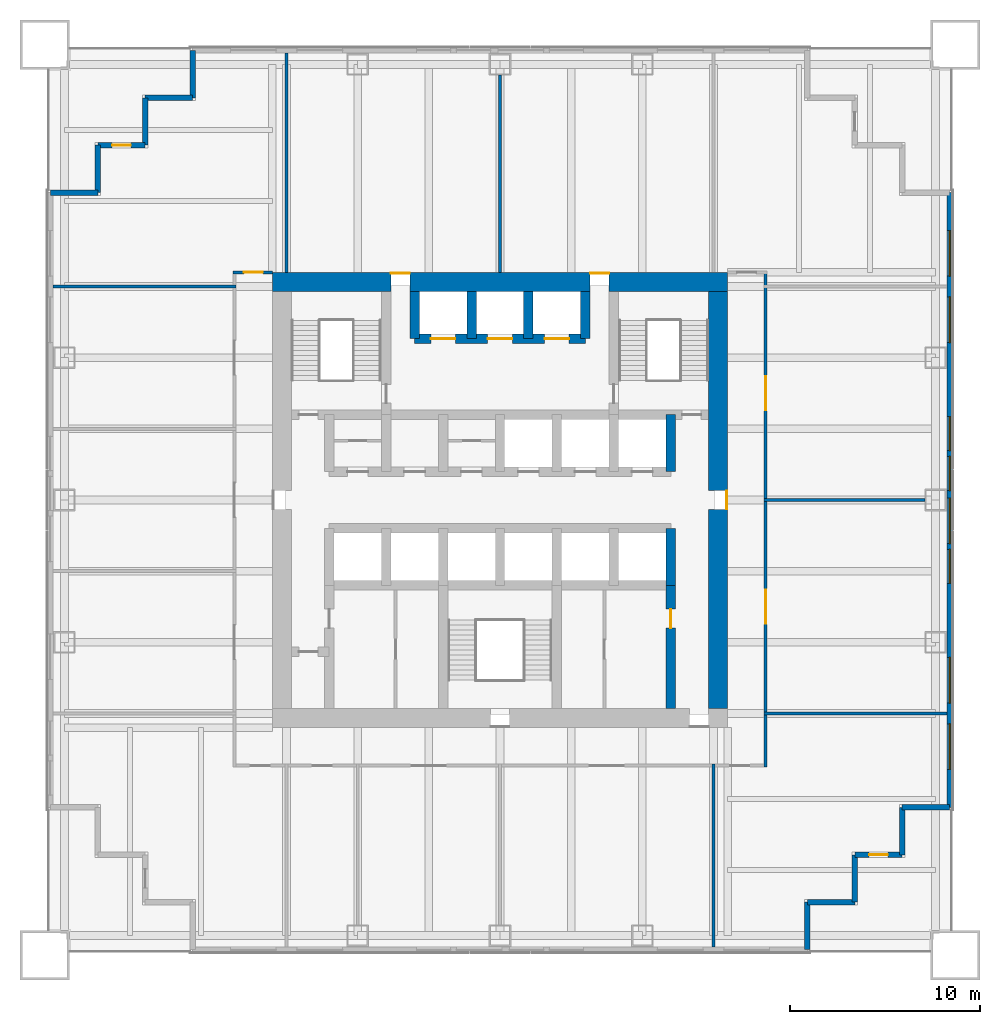
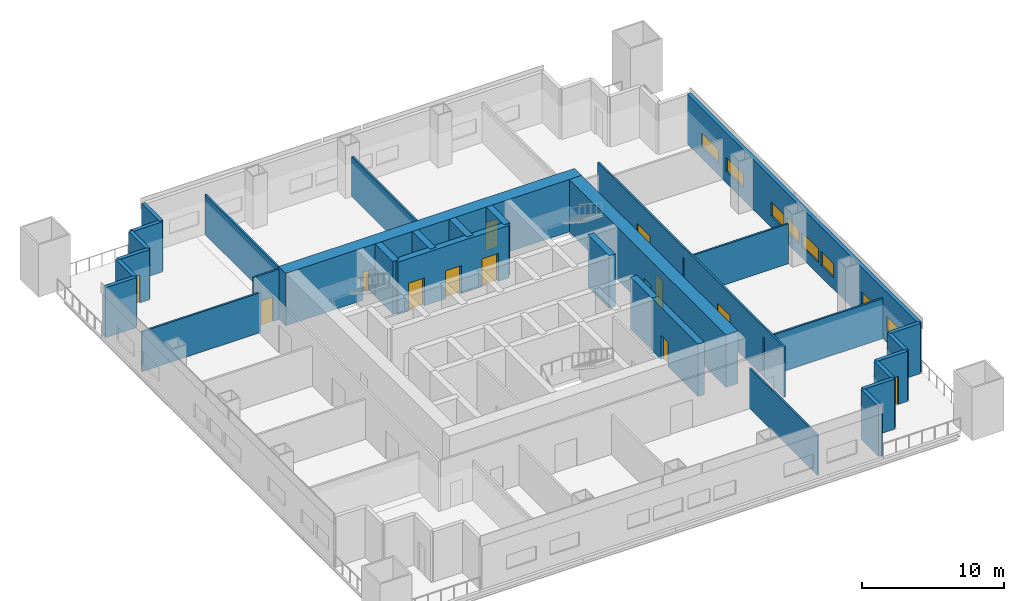
# One storey, part 4 of 7: 31 walls, 12 doors, 8 windows, 20 openings.
"""IFC4 building model written with IfcOpenShell, lengths in metres."""

from ifc_helpers import new_model, si_unit, direction, frame, frame_2d, origin, place, context, subcontext, project, spatial, rectangle, extrude, material, layer, layer_set, type_object, element, fill, save


model = new_model("IFC4")

# Units and contexts
model_context = context("Model", 3, precision=1e-05, world=origin(), true_north=direction((0.0, 1.0)))
body_context = subcontext(model_context, "Body", "Model", "MODEL_VIEW")
ifc_project = project(units=[si_unit("LENGTHUNIT", "METRE"), si_unit("AREAUNIT", "SQUARE_METRE"), si_unit("VOLUMEUNIT", "CUBIC_METRE"), si_unit("PLANEANGLEUNIT", "RADIAN"), si_unit("MASSUNIT", "GRAM", prefix="KILO")], contexts=[model_context])

# Site, building, storey
site_placement = place(None, origin())
site = spatial("IfcSite", under=ifc_project, at=site_placement, CompositionType="ELEMENT")
building_placement = place(site_placement, origin())
building = spatial("IfcBuilding", under=site, at=building_placement, Name="Tarangal Relay Tower", CompositionType="ELEMENT")
storey_placement = place(building_placement, frame((0.0, 0.0, 149.39990234375)))
storey = spatial("IfcBuildingStorey", under=building, at=storey_placement, Name="L30", CompositionType="ELEMENT", Elevation=149.39990234375)

# Wall, openings, doors
ifc_material_1 = material(Name="Concrete fc' 60 MPa", Category="concrete")
ifc_layer_1 = layer(ifc_material_1, 0.5)
ifc_layer_set_1 = layer_set([ifc_layer_1], Name="Core inner wall 500")
wall_type_1 = type_object("IfcWallType", Name="Core inner wall 500", PredefinedType="SHEAR", material=ifc_layer_set_1)
wall_1_placement = place(storey_placement, frame((-4.5, 8.5, 0.0), z_axis=(0.0, 0.0, 1.0), x_axis=(1.0, 0.0, 0.0)))
wall_1 = element("IfcWall", 1, at=wall_1_placement, inside=storey, type_object=wall_type_1, Name="Core wall Y85 L30", PredefinedType="SHEAR", context=body_context, shape_type="SweptSolid", body=[
    extrude(rectangle(XDim=9.0, YDim=0.5, at=frame_2d((4.5, 0.0))), origin(), (0.0, 0.0, 1.0), 4.5),
])
opening_1_placement = place(wall_1_placement, frame((0.85009765625, 0.0, 0.0)))
opening_1 = element("IfcOpeningElement", 2, at=opening_1_placement, cuts=wall_1, Name="Opening LD2", PredefinedType="OPENING", context=body_context, shape_type="SweptSolid", body=[
    extrude(rectangle(XDim=1.300048828125, YDim=2.39990234375, at=frame_2d((0.64990234375, 1.199951171875))), frame((0.0, 0.260009765625, 0.0), z_axis=(0.0, -1.0, 0.0), x_axis=(1.0, 0.0, 0.0)), (0.0, 0.0, 1.0), 0.52001953125),
])
opening_2_placement = place(wall_1_placement, frame((6.85009765625, 0.0, 0.0)))
opening_2 = element("IfcOpeningElement", 3, at=opening_2_placement, cuts=wall_1, Name="Opening LD2", PredefinedType="OPENING", context=body_context, shape_type="SweptSolid", body=[
    extrude(rectangle(XDim=1.300048828125, YDim=2.39990234375, at=frame_2d((0.64990234375, 1.199951171875))), frame((0.0, 0.260009765625, 0.0), z_axis=(0.0, -1.0, 0.0), x_axis=(1.0, 0.0, 0.0)), (0.0, 0.0, 1.0), 0.52001953125),
])
opening_3_placement = place(wall_1_placement, frame((3.85009765625, 0.0, 0.0)))
opening_3 = element("IfcOpeningElement", 4, at=opening_3_placement, cuts=wall_1, Name="Opening LD2", PredefinedType="OPENING", context=body_context, shape_type="SweptSolid", body=[
    extrude(rectangle(XDim=1.300048828125, YDim=2.39990234375, at=frame_2d((0.64990234375, 1.199951171875))), frame((0.0, 0.260009765625, 0.0), z_axis=(0.0, -1.0, 0.0), x_axis=(1.0, 0.0, 0.0)), (0.0, 0.0, 1.0), 0.52001953125),
])
ifc_material_2 = material(Name="Steel door with hardwood frame", Category="steel")
door_type_1 = type_object("IfcDoorType", Name="Lift landing door 1300 x 2400", OperationType="SLIDING_TO_LEFT", PredefinedType="DOOR", material=ifc_material_2)
door_1_placement = place(opening_1_placement, origin())
door_1 = element("IfcDoor", 5, at=door_1_placement, inside=storey, type_object=door_type_1, Name="Lift FF1 landing door L30", OperationType="SLIDING_TO_LEFT", OverallHeight=2.39990234375, OverallWidth=1.300048828125, PredefinedType="DOOR", context=body_context, shape_type="SweptSolid", body=[
    extrude(rectangle(XDim=1.300048828125, YDim=2.39990234375, at=frame_2d((0.64990234375, 1.199951171875))), frame((0.0, 0.02490234375, 0.0), z_axis=(0.0, -1.0, 0.0), x_axis=(1.0, 0.0, 0.0)), (0.0, 0.0, 1.0), 0.050048828125),
])
fill(opening_1, door_1)
door_2_placement = place(opening_2_placement, origin())
door_2 = element("IfcDoor", 6, at=door_2_placement, inside=storey, type_object=door_type_1, Name="Lift FF2 landing door L30", OperationType="SLIDING_TO_LEFT", OverallHeight=2.39990234375, OverallWidth=1.300048828125, PredefinedType="DOOR", context=body_context, shape_type="SweptSolid", body=[
    extrude(rectangle(XDim=1.300048828125, YDim=2.39990234375, at=frame_2d((0.64990234375, 1.199951171875))), frame((0.0, 0.02490234375, 0.0), z_axis=(0.0, -1.0, 0.0), x_axis=(1.0, 0.0, 0.0)), (0.0, 0.0, 1.0), 0.050048828125),
])
fill(opening_2, door_2)
door_3_placement = place(opening_3_placement, origin())
door_3 = element("IfcDoor", 7, at=door_3_placement, inside=storey, type_object=door_type_1, Name="Lift SV1 landing door L30", OperationType="SLIDING_TO_LEFT", OverallHeight=2.39990234375, OverallWidth=1.300048828125, PredefinedType="DOOR", context=body_context, shape_type="SweptSolid", body=[
    extrude(rectangle(XDim=1.300048828125, YDim=2.39990234375, at=frame_2d((0.64990234375, 1.199951171875))), frame((0.0, 0.02490234375, 0.0), z_axis=(0.0, -1.0, 0.0), x_axis=(1.0, 0.0, 0.0)), (0.0, 0.0, 1.0), 0.050048828125),
])
fill(opening_3, door_3)

# Walls
for number, where, z_axis, x_axis, name in (
    (8, (9.0, 1.5, 0.0), (0.0, 0.0, 1.0), (0.0, 1.0, 0.0), "Core wall X9N L30"),
    (9, (9.0, -4.5, 0.0), (0.0, 0.0, 1.0), (0.0, 1.0, 0.0), "Core wall X9S L30"),
):
    element("IfcWall", number, at=place(storey_placement, frame(where, z_axis=z_axis, x_axis=x_axis)), inside=storey, type_object=wall_type_1, Name=name, PredefinedType="SHEAR", context=body_context, shape_type="SweptSolid", body=[
        extrude(rectangle(XDim=3.0, YDim=0.5, at=frame_2d((1.5, 0.0))), origin(), (0.0, 0.0, 1.0), 4.5),
    ])
for number, where, z_axis, x_axis, name in (
    (10, (-4.5, 8.5, 0.0), (0.0, 0.0, 1.0), (0.0, 1.0, 0.0), "Core wall XM45 L30"),
    (11, (4.5, 8.5, 0.0), (0.0, 0.0, 1.0), (0.0, 1.0, 0.0), "Core wall X45 L30"),
    (12, (-1.5, 8.5, 0.0), (0.0, 0.0, 1.0), (0.0, 1.0, 0.0), "Core wall XM15 L30"),
    (13, (1.5, 8.5, 0.0), (0.0, 0.0, 1.0), (0.0, 1.0, 0.0), "Core wall X15 L30"),
):
    element("IfcWall", number, at=place(storey_placement, frame(where, z_axis=z_axis, x_axis=x_axis)), inside=storey, type_object=wall_type_1, Name=name, PredefinedType="SHEAR", context=body_context, shape_type="SweptSolid", body=[
        extrude(rectangle(XDim=2.5, YDim=0.5, at=frame_2d((1.25, 0.0))), origin(), (0.0, 0.0, 1.0), 4.5),
    ])

# Wall, opening, door
wall_2_placement = place(storey_placement, frame((9.0, -11.0, 0.0), z_axis=(0.0, 0.0, 1.0), x_axis=(0.0, 1.0, 0.0)))
wall_2 = element("IfcWall", 14, at=wall_2_placement, inside=storey, type_object=wall_type_1, Name="Core wall X9W L30", PredefinedType="SHEAR", context=body_context, shape_type="SweptSolid", body=[
    extrude(rectangle(XDim=6.5, YDim=0.5, at=frame_2d((3.25, 0.0))), origin(), (0.0, 0.0, 1.0), 4.5),
])
opening_4_placement = place(wall_2_placement, frame((4.25, 0.0, 0.0)))
opening_4 = element("IfcOpeningElement", 15, at=opening_4_placement, cuts=wall_2, Name="Opening D1", PredefinedType="OPENING", context=body_context, shape_type="SweptSolid", body=[
    extrude(rectangle(XDim=1.0, YDim=2.10009765625, at=frame_2d((0.5, 1.050048828125))), frame((0.0, 0.260009765625, 0.0), z_axis=(0.0, -1.0, 0.0), x_axis=(1.0, 0.0, 0.0)), (0.0, 0.0, 1.0), 0.52001953125),
])
ifc_material_3 = material(Name="Hardwood door", Category="wood")
door_type_2 = type_object("IfcDoorType", Name="WC door 1000 x 2100", OperationType="SINGLE_SWING_LEFT", PredefinedType="DOOR", material=ifc_material_3)
door_4_placement = place(opening_4_placement, origin())
door_4 = element("IfcDoor", 16, at=door_4_placement, inside=storey, type_object=door_type_2, Name="Female WC door L30", OperationType="SINGLE_SWING_LEFT", OverallHeight=2.10009765625, OverallWidth=1.0, PredefinedType="DOOR", context=body_context, shape_type="SweptSolid", body=[
    extrude(rectangle(XDim=1.0, YDim=2.10009765625, at=frame_2d((0.5, 1.050048828125))), frame((0.0, 0.02490234375, 0.0), z_axis=(0.0, -1.0, 0.0), x_axis=(1.0, 0.0, 0.0)), (0.0, 0.0, 1.0), 0.050048828125),
])
fill(opening_4, door_4)

# Wall, openings, doors
ifc_layer_2 = layer(ifc_material_1, 1.0)
ifc_layer_set_2 = layer_set([ifc_layer_2], Name="Core wall 1000")
wall_type_2 = type_object("IfcWallType", Name="Core wall 1000", PredefinedType="SHEAR", material=ifc_layer_set_2)
wall_3_placement = place(storey_placement, frame((-12.0, 11.5, 0.0), z_axis=(0.0, 0.0, 1.0), x_axis=(1.0, 0.0, 0.0)))
wall_3 = element("IfcWall", 17, at=wall_3_placement, inside=storey, type_object=wall_type_2, Name="Core wall N L30", PredefinedType="SHEAR", context=body_context, shape_type="SweptSolid", body=[
    extrude(rectangle(XDim=24.0, YDim=1.0, at=frame_2d((12.0, 0.0))), origin(), (0.0, 0.0, 1.0), 4.5),
])
opening_5_placement = place(wall_3_placement, frame((6.25, 0.0, 0.0)))
opening_5 = element("IfcOpeningElement", 18, at=opening_5_placement, cuts=wall_3, Name="Opening FD3", PredefinedType="OPENING", context=body_context, shape_type="SweptSolid", body=[
    extrude(rectangle(XDim=1.0, YDim=2.39990234375, at=frame_2d((0.5, 1.199951171875))), frame((0.0, 0.510009765625, 0.0), z_axis=(0.0, -1.0, 0.0), x_axis=(1.0, 0.0, 0.0)), (0.0, 0.0, 1.0), 1.02001953125),
])
opening_6_placement = place(wall_3_placement, frame((16.75, 0.0, 0.0)))
opening_6 = element("IfcOpeningElement", 19, at=opening_6_placement, cuts=wall_3, Name="Opening FD3", PredefinedType="OPENING", context=body_context, shape_type="SweptSolid", body=[
    extrude(rectangle(XDim=1.0, YDim=2.39990234375, at=frame_2d((0.5, 1.199951171875))), frame((0.0, 0.510009765625, 0.0), z_axis=(0.0, -1.0, 0.0), x_axis=(1.0, 0.0, 0.0)), (0.0, 0.0, 1.0), 1.02001953125),
])
door_type_3 = type_object("IfcDoorType", Name="Fire door 1000 x 2400 core entry", OperationType="SINGLE_SWING_RIGHT", PredefinedType="DOOR", material=ifc_material_2)
door_5_placement = place(opening_5_placement, origin())
door_5 = element("IfcDoor", 20, at=door_5_placement, inside=storey, type_object=door_type_3, Name="Core entry door north west L30", OperationType="SINGLE_SWING_RIGHT", OverallHeight=2.39990234375, OverallWidth=1.0, PredefinedType="DOOR", context=body_context, shape_type="SweptSolid", body=[
    extrude(rectangle(XDim=1.0, YDim=2.39990234375, at=frame_2d((0.5, 1.199951171875))), frame((0.0, 0.48486328125, 0.0), z_axis=(0.0, -1.0, 0.0), x_axis=(1.0, 0.0, 0.0)), (0.0, 0.0, 1.0), 0.050048828125),
])
fill(opening_5, door_5)
door_6_placement = place(opening_6_placement, origin())
door_6 = element("IfcDoor", 21, at=door_6_placement, inside=storey, type_object=door_type_3, Name="Core entry door north east L30", OperationType="SINGLE_SWING_RIGHT", OverallHeight=2.39990234375, OverallWidth=1.0, PredefinedType="DOOR", context=body_context, shape_type="SweptSolid", body=[
    extrude(rectangle(XDim=1.0, YDim=2.39990234375, at=frame_2d((0.5, 1.199951171875))), frame((0.0, 0.48486328125, 0.0), z_axis=(0.0, -1.0, 0.0), x_axis=(1.0, 0.0, 0.0)), (0.0, 0.0, 1.0), 0.050048828125),
])
fill(opening_6, door_6)

# Wall, opening, door
wall_4_placement = place(storey_placement, frame((11.5, 11.0, 0.0), z_axis=(0.0, 0.0, 1.0), x_axis=(0.0, -1.0, 0.0)))
wall_4 = element("IfcWall", 22, at=wall_4_placement, inside=storey, type_object=wall_type_2, Name="Core wall E L30", PredefinedType="SHEAR", context=body_context, shape_type="SweptSolid", body=[
    extrude(rectangle(XDim=22.0, YDim=1.0, at=frame_2d((11.0, 0.0))), origin(), (0.0, 0.0, 1.0), 4.5),
])
opening_7_placement = place(wall_4_placement, frame((10.5, 0.0, 0.0)))
opening_7 = element("IfcOpeningElement", 23, at=opening_7_placement, cuts=wall_4, Name="Opening FD3", PredefinedType="OPENING", context=body_context, shape_type="SweptSolid", body=[
    extrude(rectangle(XDim=1.0, YDim=2.39990234375, at=frame_2d((0.5, 1.199951171875))), frame((0.0, 0.510009765625, 0.0), z_axis=(0.0, -1.0, 0.0), x_axis=(1.0, 0.0, 0.0)), (0.0, 0.0, 1.0), 1.02001953125),
])
door_7_placement = place(opening_7_placement, origin())
door_7 = element("IfcDoor", 24, at=door_7_placement, inside=storey, type_object=door_type_3, Name="Core entry door east L30", OperationType="SINGLE_SWING_RIGHT", OverallHeight=2.39990234375, OverallWidth=1.0, PredefinedType="DOOR", context=body_context, shape_type="SweptSolid", body=[
    extrude(rectangle(XDim=1.0, YDim=2.39990234375, at=frame_2d((0.5, 1.199951171875))), frame((0.0, 0.48486328125, 0.0), z_axis=(0.0, -1.0, 0.0), x_axis=(1.0, 0.0, 0.0)), (0.0, 0.0, 1.0), 0.050048828125),
])
fill(opening_7, door_7)

# Wall, openings, windows
ifc_material_4 = material(Name="Insulated precast concrete fc' 40 MPa", Category="concrete")
ifc_layer_3 = layer(ifc_material_4, 0.300048828125)
ifc_layer_set_3 = layer_set([ifc_layer_3], Name="Insulated precast concrete fc' 40 MPa")
wall_type_3 = type_object("IfcWallType", Name="Facade wall precast 300", PredefinedType="SOLIDWALL", material=ifc_layer_set_3)
wall_5_placement = place(storey_placement, frame((23.699951171875, 16.199951171875, 0.0), z_axis=(0.0, 0.0, 1.0), x_axis=(0.0, -1.0, 0.0)))
wall_5 = element("IfcWall", 25, at=wall_5_placement, inside=storey, type_object=wall_type_3, Name="Facade wall E facade L30", PredefinedType="SOLIDWALL", context=body_context, shape_type="SweptSolid", body=[
    extrude(rectangle(XDim=32.39990234375, YDim=0.300048828125, at=frame_2d((16.199951171875, 0.0))), origin(), (0.0, 0.0, 1.0), 4.300048828125),
])
opening_8_placement = place(wall_5_placement, frame((2.0, 0.0, 1.0)))
opening_8 = element("IfcOpeningElement", 26, at=opening_8_placement, cuts=wall_5, Name="Opening WN1", PredefinedType="OPENING", context=body_context, shape_type="SweptSolid", body=[
    extrude(rectangle(XDim=2.39990234375, YDim=1.199951171875, at=frame_2d((1.199951171875, 0.60009765625))), frame((0.0, 0.159912109375, 0.0), z_axis=(0.0, -1.0, 0.0), x_axis=(1.0, 0.0, 0.0)), (0.0, 0.0, 1.0), 0.320068359375),
])
opening_9_placement = place(wall_5_placement, frame((5.5, 0.0, 1.0)))
opening_9 = element("IfcOpeningElement", 27, at=opening_9_placement, cuts=wall_5, Name="Opening WN1", PredefinedType="OPENING", context=body_context, shape_type="SweptSolid", body=[
    extrude(rectangle(XDim=2.39990234375, YDim=1.199951171875, at=frame_2d((1.199951171875, 0.60009765625))), frame((0.0, 0.159912109375, 0.0), z_axis=(0.0, -1.0, 0.0), x_axis=(1.0, 0.0, 0.0)), (0.0, 0.0, 1.0), 0.320068359375),
])
opening_10_placement = place(wall_5_placement, frame((11.800048828125, 0.0, 1.0)))
opening_10 = element("IfcOpeningElement", 28, at=opening_10_placement, cuts=wall_5, Name="Opening WN5", PredefinedType="OPENING", context=body_context, shape_type="SweptSolid", body=[
    extrude(rectangle(XDim=1.800048828125, YDim=1.199951171875, at=frame_2d((0.89990234375, 0.60009765625))), frame((0.0, 0.159912109375, 0.0), z_axis=(0.0, -1.0, 0.0), x_axis=(1.0, 0.0, 0.0)), (0.0, 0.0, 1.0), 0.320068359375),
])
opening_11_placement = place(wall_5_placement, frame((13.89990234375, 0.0, 1.0)))
opening_11 = element("IfcOpeningElement", 29, at=opening_11_placement, cuts=wall_5, Name="Opening WN5", PredefinedType="OPENING", context=body_context, shape_type="SweptSolid", body=[
    extrude(rectangle(XDim=1.800048828125, YDim=1.199951171875, at=frame_2d((0.89990234375, 0.60009765625))), frame((0.0, 0.159912109375, 0.0), z_axis=(0.0, -1.0, 0.0), x_axis=(1.0, 0.0, 0.0)), (0.0, 0.0, 1.0), 0.320068359375),
])
opening_12_placement = place(wall_5_placement, frame((16.10009765625, 0.0, 1.0)))
opening_12 = element("IfcOpeningElement", 30, at=opening_12_placement, cuts=wall_5, Name="Opening WN1", PredefinedType="OPENING", context=body_context, shape_type="SweptSolid", body=[
    extrude(rectangle(XDim=2.39990234375, YDim=1.199951171875, at=frame_2d((1.199951171875, 0.60009765625))), frame((0.0, 0.159912109375, 0.0), z_axis=(0.0, -1.0, 0.0), x_axis=(1.0, 0.0, 0.0)), (0.0, 0.0, 1.0), 0.320068359375),
])
opening_13_placement = place(wall_5_placement, frame((18.800048828125, 0.0, 1.0)))
opening_13 = element("IfcOpeningElement", 31, at=opening_13_placement, cuts=wall_5, Name="Opening WN5", PredefinedType="OPENING", context=body_context, shape_type="SweptSolid", body=[
    extrude(rectangle(XDim=1.800048828125, YDim=1.199951171875, at=frame_2d((0.89990234375, 0.60009765625))), frame((0.0, 0.159912109375, 0.0), z_axis=(0.0, -1.0, 0.0), x_axis=(1.0, 0.0, 0.0)), (0.0, 0.0, 1.0), 0.320068359375),
])
opening_14_placement = place(wall_5_placement, frame((24.5, 0.0, 1.0)))
opening_14 = element("IfcOpeningElement", 32, at=opening_14_placement, cuts=wall_5, Name="Opening WN1", PredefinedType="OPENING", context=body_context, shape_type="SweptSolid", body=[
    extrude(rectangle(XDim=2.39990234375, YDim=1.199951171875, at=frame_2d((1.199951171875, 0.60009765625))), frame((0.0, 0.159912109375, 0.0), z_axis=(0.0, -1.0, 0.0), x_axis=(1.0, 0.0, 0.0)), (0.0, 0.0, 1.0), 0.320068359375),
])
opening_15_placement = place(wall_5_placement, frame((28.0, 0.0, 1.0)))
opening_15 = element("IfcOpeningElement", 33, at=opening_15_placement, cuts=wall_5, Name="Opening WN1", PredefinedType="OPENING", context=body_context, shape_type="SweptSolid", body=[
    extrude(rectangle(XDim=2.39990234375, YDim=1.199951171875, at=frame_2d((1.199951171875, 0.60009765625))), frame((0.0, 0.159912109375, 0.0), z_axis=(0.0, -1.0, 0.0), x_axis=(1.0, 0.0, 0.0)), (0.0, 0.0, 1.0), 0.320068359375),
])
ifc_material_5 = material(Name="Dark tinted double glazing in black aluminium frame", Category="aluminium")
window_type_1 = type_object("IfcWindowType", Name="Ribbon window 1800 x 1200", PartitioningType="SINGLE_PANEL", PredefinedType="WINDOW", material=ifc_material_5)
window_1_placement = place(opening_10_placement, origin())
window_1 = element("IfcWindow", 34, at=window_1_placement, inside=storey, type_object=window_type_1, Name="Ribbon window WN5 E facade L30", OverallHeight=1.199951171875, OverallWidth=1.800048828125, PartitioningType="SINGLE_PANEL", PredefinedType="WINDOW", context=body_context, shape_type="SweptSolid", body=[
    extrude(rectangle(XDim=1.800048828125, YDim=1.199951171875, at=frame_2d((0.89990234375, 0.60009765625))), frame((0.0, 0.030029296875, 0.0), z_axis=(0.0, -1.0, 0.0), x_axis=(1.0, 0.0, 0.0)), (0.0, 0.0, 1.0), 0.06005859375),
])
fill(opening_10, window_1)
window_2_placement = place(opening_11_placement, origin())
window_2 = element("IfcWindow", 35, at=window_2_placement, inside=storey, type_object=window_type_1, Name="Ribbon window WN5 E facade L30", OverallHeight=1.199951171875, OverallWidth=1.800048828125, PartitioningType="SINGLE_PANEL", PredefinedType="WINDOW", context=body_context, shape_type="SweptSolid", body=[
    extrude(rectangle(XDim=1.800048828125, YDim=1.199951171875, at=frame_2d((0.89990234375, 0.60009765625))), frame((0.0, 0.030029296875, 0.0), z_axis=(0.0, -1.0, 0.0), x_axis=(1.0, 0.0, 0.0)), (0.0, 0.0, 1.0), 0.06005859375),
])
fill(opening_11, window_2)
window_3_placement = place(opening_13_placement, origin())
window_3 = element("IfcWindow", 36, at=window_3_placement, inside=storey, type_object=window_type_1, Name="Ribbon window WN5 E facade L30", OverallHeight=1.199951171875, OverallWidth=1.800048828125, PartitioningType="SINGLE_PANEL", PredefinedType="WINDOW", context=body_context, shape_type="SweptSolid", body=[
    extrude(rectangle(XDim=1.800048828125, YDim=1.199951171875, at=frame_2d((0.89990234375, 0.60009765625))), frame((0.0, 0.030029296875, 0.0), z_axis=(0.0, -1.0, 0.0), x_axis=(1.0, 0.0, 0.0)), (0.0, 0.0, 1.0), 0.06005859375),
])
fill(opening_13, window_3)
window_type_2 = type_object("IfcWindowType", Name="Ribbon window 2400 x 1200", PartitioningType="SINGLE_PANEL", PredefinedType="WINDOW", material=ifc_material_5)
window_4_placement = place(opening_8_placement, origin())
window_4 = element("IfcWindow", 37, at=window_4_placement, inside=storey, type_object=window_type_2, Name="Ribbon window WN1 E facade L30", OverallHeight=1.199951171875, OverallWidth=2.39990234375, PartitioningType="SINGLE_PANEL", PredefinedType="WINDOW", context=body_context, shape_type="SweptSolid", body=[
    extrude(rectangle(XDim=2.39990234375, YDim=1.199951171875, at=frame_2d((1.199951171875, 0.60009765625))), frame((0.0, 0.030029296875, 0.0), z_axis=(0.0, -1.0, 0.0), x_axis=(1.0, 0.0, 0.0)), (0.0, 0.0, 1.0), 0.06005859375),
])
fill(opening_8, window_4)
window_5_placement = place(opening_9_placement, origin())
window_5 = element("IfcWindow", 38, at=window_5_placement, inside=storey, type_object=window_type_2, Name="Ribbon window WN1 E facade L30", OverallHeight=1.199951171875, OverallWidth=2.39990234375, PartitioningType="SINGLE_PANEL", PredefinedType="WINDOW", context=body_context, shape_type="SweptSolid", body=[
    extrude(rectangle(XDim=2.39990234375, YDim=1.199951171875, at=frame_2d((1.199951171875, 0.60009765625))), frame((0.0, 0.030029296875, 0.0), z_axis=(0.0, -1.0, 0.0), x_axis=(1.0, 0.0, 0.0)), (0.0, 0.0, 1.0), 0.06005859375),
])
fill(opening_9, window_5)
window_6_placement = place(opening_12_placement, origin())
window_6 = element("IfcWindow", 39, at=window_6_placement, inside=storey, type_object=window_type_2, Name="Ribbon window WN1 E facade L30", OverallHeight=1.199951171875, OverallWidth=2.39990234375, PartitioningType="SINGLE_PANEL", PredefinedType="WINDOW", context=body_context, shape_type="SweptSolid", body=[
    extrude(rectangle(XDim=2.39990234375, YDim=1.199951171875, at=frame_2d((1.199951171875, 0.60009765625))), frame((0.0, 0.030029296875, 0.0), z_axis=(0.0, -1.0, 0.0), x_axis=(1.0, 0.0, 0.0)), (0.0, 0.0, 1.0), 0.06005859375),
])
fill(opening_12, window_6)
window_7_placement = place(opening_14_placement, origin())
window_7 = element("IfcWindow", 40, at=window_7_placement, inside=storey, type_object=window_type_2, Name="Ribbon window WN1 E facade L30", OverallHeight=1.199951171875, OverallWidth=2.39990234375, PartitioningType="SINGLE_PANEL", PredefinedType="WINDOW", context=body_context, shape_type="SweptSolid", body=[
    extrude(rectangle(XDim=2.39990234375, YDim=1.199951171875, at=frame_2d((1.199951171875, 0.60009765625))), frame((0.0, 0.030029296875, 0.0), z_axis=(0.0, -1.0, 0.0), x_axis=(1.0, 0.0, 0.0)), (0.0, 0.0, 1.0), 0.06005859375),
])
fill(opening_14, window_7)
window_8_placement = place(opening_15_placement, origin())
window_8 = element("IfcWindow", 41, at=window_8_placement, inside=storey, type_object=window_type_2, Name="Ribbon window WN1 E facade L30", OverallHeight=1.199951171875, OverallWidth=2.39990234375, PartitioningType="SINGLE_PANEL", PredefinedType="WINDOW", context=body_context, shape_type="SweptSolid", body=[
    extrude(rectangle(XDim=2.39990234375, YDim=1.199951171875, at=frame_2d((1.199951171875, 0.60009765625))), frame((0.0, 0.030029296875, 0.0), z_axis=(0.0, -1.0, 0.0), x_axis=(1.0, 0.0, 0.0)), (0.0, 0.0, 1.0), 0.06005859375),
])
fill(opening_15, window_8)

# Walls
for number, where, z_axis, x_axis, name in (
    (42, (23.699951171875, -16.199951171875, 0.0), (0.0, 0.0, 1.0), (-1.0, 0.0, 0.0), "Facade wall E facade L30"),
    (43, (21.199951171875, -16.199951171875, 0.0), (0.0, 0.0, 1.0), (0.0, -1.0, 0.0), "Facade wall E facade L30"),
):
    element("IfcWall", number, at=place(storey_placement, frame(where, z_axis=z_axis, x_axis=x_axis)), inside=storey, type_object=wall_type_3, Name=name, PredefinedType="SOLIDWALL", context=body_context, shape_type="SweptSolid", body=[
        extrude(rectangle(XDim=2.5, YDim=0.300048828125, at=frame_2d((1.25, 0.0))), origin(), (0.0, 0.0, 1.0), 4.300048828125),
    ])

# Wall, opening, door
wall_6_placement = place(storey_placement, frame((21.199951171875, -18.699951171875, 0.0), z_axis=(0.0, 0.0, 1.0), x_axis=(-1.0, 0.0, 0.0)))
wall_6 = element("IfcWall", 44, at=wall_6_placement, inside=storey, type_object=wall_type_3, Name="Facade wall E facade L30", PredefinedType="SOLIDWALL", context=body_context, shape_type="SweptSolid", body=[
    extrude(rectangle(XDim=2.5, YDim=0.300048828125, at=frame_2d((1.25, 0.0))), origin(), (0.0, 0.0, 1.0), 4.300048828125),
])
opening_16_placement = place(wall_6_placement, frame((0.75, 0.0, 0.0)))
opening_16 = element("IfcOpeningElement", 45, at=opening_16_placement, cuts=wall_6, Name="Opening TD1", PredefinedType="OPENING", context=body_context, shape_type="SweptSolid", body=[
    extrude(rectangle(XDim=1.0, YDim=2.39990234375, at=frame_2d((0.5, 1.199951171875))), frame((0.0, 0.159912109375, 0.0), z_axis=(0.0, -1.0, 0.0), x_axis=(1.0, 0.0, 0.0)), (0.0, 0.0, 1.0), 0.320068359375),
])
ifc_material_6 = material(Name="Aluminium glazed door", Category="aluminium")
door_type_4 = type_object("IfcDoorType", Name="Terrace door 1000 x 2400", OperationType="SINGLE_SWING_RIGHT", PredefinedType="DOOR", material=ifc_material_6)
door_8_placement = place(opening_16_placement, origin())
door_8 = element("IfcDoor", 46, at=door_8_placement, inside=storey, type_object=door_type_4, Name="Terrace door TD1 SE L30", OperationType="SINGLE_SWING_RIGHT", OverallHeight=2.39990234375, OverallWidth=1.0, PredefinedType="DOOR", context=body_context, shape_type="SweptSolid", body=[
    extrude(rectangle(XDim=1.0, YDim=2.39990234375, at=frame_2d((0.5, 1.199951171875))), frame((0.0, 0.02490234375, 0.0), z_axis=(0.0, -1.0, 0.0), x_axis=(1.0, 0.0, 0.0)), (0.0, 0.0, 1.0), 0.050048828125),
])
fill(opening_16, door_8)

# Walls
for number, where, z_axis, x_axis, name in (
    (47, (18.699951171875, -18.699951171875, 0.0), (0.0, 0.0, 1.0), (0.0, -1.0, 0.0), "Facade wall E facade L30"),
    (48, (18.699951171875, -21.199951171875, 0.0), (0.0, 0.0, 1.0), (-1.0, 0.0, 0.0), "Facade wall E facade L30"),
    (49, (16.199951171875, -21.199951171875, 0.0), (0.0, 0.0, 1.0), (0.0, -1.0, 0.0), "Facade wall E facade L30"),
    (50, (-23.699951171875, 16.199951171875, 0.0), (0.0, 0.0, 1.0), (1.0, 0.0, 0.0), "Facade wall W facade L30"),
    (51, (-21.199951171875, 16.199951171875, 0.0), (0.0, 0.0, 1.0), (0.0, 1.0, 0.0), "Facade wall W facade L30"),
):
    element("IfcWall", number, at=place(storey_placement, frame(where, z_axis=z_axis, x_axis=x_axis)), inside=storey, type_object=wall_type_3, Name=name, PredefinedType="SOLIDWALL", context=body_context, shape_type="SweptSolid", body=[
        extrude(rectangle(XDim=2.5, YDim=0.300048828125, at=frame_2d((1.25, 0.0))), origin(), (0.0, 0.0, 1.0), 4.300048828125),
    ])

# Wall, opening, door
wall_7_placement = place(storey_placement, frame((-21.199951171875, 18.699951171875, 0.0), z_axis=(0.0, 0.0, 1.0), x_axis=(1.0, 0.0, 0.0)))
wall_7 = element("IfcWall", 52, at=wall_7_placement, inside=storey, type_object=wall_type_3, Name="Facade wall W facade L30", PredefinedType="SOLIDWALL", context=body_context, shape_type="SweptSolid", body=[
    extrude(rectangle(XDim=2.5, YDim=0.300048828125, at=frame_2d((1.25, 0.0))), origin(), (0.0, 0.0, 1.0), 4.300048828125),
])
opening_17_placement = place(wall_7_placement, frame((0.75, 0.0, 0.0)))
opening_17 = element("IfcOpeningElement", 53, at=opening_17_placement, cuts=wall_7, Name="Opening TD1", PredefinedType="OPENING", context=body_context, shape_type="SweptSolid", body=[
    extrude(rectangle(XDim=1.0, YDim=2.39990234375, at=frame_2d((0.5, 1.199951171875))), frame((0.0, 0.159912109375, 0.0), z_axis=(0.0, -1.0, 0.0), x_axis=(1.0, 0.0, 0.0)), (0.0, 0.0, 1.0), 0.320068359375),
])
door_9_placement = place(opening_17_placement, origin())
door_9 = element("IfcDoor", 54, at=door_9_placement, inside=storey, type_object=door_type_4, Name="Terrace door TD1 NW L30", OperationType="SINGLE_SWING_RIGHT", OverallHeight=2.39990234375, OverallWidth=1.0, PredefinedType="DOOR", context=body_context, shape_type="SweptSolid", body=[
    extrude(rectangle(XDim=1.0, YDim=2.39990234375, at=frame_2d((0.5, 1.199951171875))), frame((0.0, 0.02490234375, 0.0), z_axis=(0.0, -1.0, 0.0), x_axis=(1.0, 0.0, 0.0)), (0.0, 0.0, 1.0), 0.050048828125),
])
fill(opening_17, door_9)

# Walls
for number, where, z_axis, x_axis, name in (
    (55, (-18.699951171875, 18.699951171875, 0.0), (0.0, 0.0, 1.0), (0.0, 1.0, 0.0), "Facade wall W facade L30"),
    (56, (-18.699951171875, 21.199951171875, 0.0), (0.0, 0.0, 1.0), (1.0, 0.0, 0.0), "Facade wall W facade L30"),
    (57, (-16.199951171875, 21.199951171875, 0.0), (0.0, 0.0, 1.0), (0.0, 1.0, 0.0), "Facade wall W facade L30"),
):
    element("IfcWall", number, at=place(storey_placement, frame(where, z_axis=z_axis, x_axis=x_axis)), inside=storey, type_object=wall_type_3, Name=name, PredefinedType="SOLIDWALL", context=body_context, shape_type="SweptSolid", body=[
        extrude(rectangle(XDim=2.5, YDim=0.300048828125, at=frame_2d((1.25, 0.0))), origin(), (0.0, 0.0, 1.0), 4.300048828125),
    ])
ifc_material_7 = material(Name="Gypsum board on steel studs", Category="steel")
ifc_layer_4 = layer(ifc_material_7, 0.14990234375)
ifc_layer_set_4 = layer_set([ifc_layer_4], Name="Partition 150")
wall_type_4 = type_object("IfcWallType", Name="Partition 150", PredefinedType="PARTITIONING", material=ifc_layer_set_4)
wall_8_placement = place(storey_placement, frame((13.925048828125, -11.25, 0.0), z_axis=(0.0, 0.0, 1.0), x_axis=(1.0, 0.0, 0.0)))
element("IfcWall", 58, at=wall_8_placement, inside=storey, type_object=wall_type_4, Name="Partition PT1 L30", PredefinedType="PARTITIONING", context=body_context, shape_type="SweptSolid", body=[
    extrude(rectangle(XDim=9.625, YDim=0.14990234375, at=frame_2d((4.8125, 0.0))), origin(), (0.0, 0.0, 1.0), 3.431396484375),
])
wall_9_placement = place(storey_placement, frame((13.925048828125, 0.0, 0.0), z_axis=(0.0, 0.0, 1.0), x_axis=(1.0, 0.0, 0.0)))
element("IfcWall", 59, at=wall_9_placement, inside=storey, type_object=wall_type_4, Name="Partition PT1 L30", PredefinedType="PARTITIONING", context=body_context, shape_type="SweptSolid", body=[
    extrude(rectangle(XDim=8.46484375, YDim=0.14990234375, at=frame_2d((4.232421875, 0.0))), origin(), (0.0, 0.0, 1.0), 3.431396484375),
])
wall_10_placement = place(storey_placement, frame((-23.550048828125, 11.25, 0.0), z_axis=(0.0, 0.0, 1.0), x_axis=(1.0, 0.0, 0.0)))
element("IfcWall", 60, at=wall_10_placement, inside=storey, type_object=wall_type_4, Name="Partition PT1 L30", PredefinedType="PARTITIONING", context=body_context, shape_type="SweptSolid", body=[
    extrude(rectangle(XDim=9.625, YDim=0.14990234375, at=frame_2d((4.8125, 0.0))), origin(), (0.0, 0.0, 1.0), 3.431396484375),
])

# Wall, opening, door
wall_11_placement = place(storey_placement, frame((-14.074951171875, 12.0, 0.0), z_axis=(0.0, 0.0, 1.0), x_axis=(1.0, 0.0, 0.0)))
wall_11 = element("IfcWall", 61, at=wall_11_placement, inside=storey, type_object=wall_type_4, Name="Partition PT1 L30", PredefinedType="PARTITIONING", context=body_context, shape_type="SweptSolid", body=[
    extrude(rectangle(XDim=2.074951171875, YDim=0.14990234375, at=frame_2d((1.03759765625, 0.0))), origin(), (0.0, 0.0, 1.0), 4.300048828125),
])
opening_18_placement = place(wall_11_placement, frame((0.574951171875, 0.0, 0.0)))
opening_18 = element("IfcOpeningElement", 62, at=opening_18_placement, cuts=wall_11, Name="Opening D2", PredefinedType="OPENING", context=body_context, shape_type="SweptSolid", body=[
    extrude(rectangle(XDim=1.0, YDim=2.10009765625, at=frame_2d((0.5, 1.050048828125))), frame((0.0, 0.0849609375, 0.0), z_axis=(0.0, -1.0, 0.0), x_axis=(1.0, 0.0, 0.0)), (0.0, 0.0, 1.0), 0.169921875),
])
door_type_5 = type_object("IfcDoorType", Name="Door 1000 x 2100", OperationType="SINGLE_SWING_LEFT", PredefinedType="DOOR", material=ifc_material_3)
door_10_placement = place(opening_18_placement, origin())
door_10 = element("IfcDoor", 63, at=door_10_placement, inside=storey, type_object=door_type_5, Name="Door D2 to rack staging room L30-15", OperationType="SINGLE_SWING_LEFT", OverallHeight=2.10009765625, OverallWidth=1.0, PredefinedType="DOOR", context=body_context, shape_type="SweptSolid", body=[
    extrude(rectangle(XDim=1.0, YDim=2.10009765625, at=frame_2d((0.5, 1.050048828125))), frame((0.0, 0.02490234375, 0.0), z_axis=(0.0, -1.0, 0.0), x_axis=(1.0, 0.0, 0.0)), (0.0, 0.0, 1.0), 0.050048828125),
])
fill(opening_18, door_10)

# Walls
wall_12_placement = place(storey_placement, frame((-11.25, 12.0, 0.0), z_axis=(0.0, 0.0, 1.0), x_axis=(0.0, 1.0, 0.0)))
element("IfcWall", 64, at=wall_12_placement, inside=storey, type_object=wall_type_4, Name="Partition PT1 L30", PredefinedType="PARTITIONING", context=body_context, shape_type="SweptSolid", body=[
    extrude(rectangle(XDim=11.550048828125, YDim=0.14990234375, at=frame_2d((5.77490234375, 0.0))), origin(), (0.0, 0.0, 1.0), 3.431396484375),
])
wall_13_placement = place(storey_placement, frame((0.0, 12.0, 0.0), z_axis=(0.0, 0.0, 1.0), x_axis=(0.0, 1.0, 0.0)))
element("IfcWall", 65, at=wall_13_placement, inside=storey, type_object=wall_type_4, Name="Partition PT1 L30", PredefinedType="PARTITIONING", context=body_context, shape_type="SweptSolid", body=[
    extrude(rectangle(XDim=10.389892578125, YDim=0.14990234375, at=frame_2d((5.19482421875, 0.0))), origin(), (0.0, 0.0, 1.0), 3.431396484375),
])
wall_14_placement = place(storey_placement, frame((11.25, -23.550048828125, 0.0), z_axis=(0.0, 0.0, 1.0), x_axis=(0.0, 1.0, 0.0)))
element("IfcWall", 66, at=wall_14_placement, inside=storey, type_object=wall_type_4, Name="Partition PT1 L30", PredefinedType="PARTITIONING", context=body_context, shape_type="SweptSolid", body=[
    extrude(rectangle(XDim=9.625, YDim=0.14990234375, at=frame_2d((4.8125, 0.0))), origin(), (0.0, 0.0, 1.0), 3.431396484375),
])

# Wall, openings, doors
wall_15_placement = place(storey_placement, frame((14.0, -14.074951171875, 0.0), z_axis=(0.0, 0.0, 1.0), x_axis=(0.0, 1.0, 0.0)))
wall_15 = element("IfcWall", 67, at=wall_15_placement, inside=storey, type_object=wall_type_4, Name="Partition PT1 L30", PredefinedType="PARTITIONING", context=body_context, shape_type="SweptSolid", body=[
    extrude(rectangle(XDim=26.14990234375, YDim=0.14990234375, at=frame_2d((13.074951171875, 0.0))), origin(), (0.0, 0.0, 1.0), 4.300048828125),
])
opening_19_placement = place(wall_15_placement, frame((18.800048828125, 0.0, 0.0)))
opening_19 = element("IfcOpeningElement", 68, at=opening_19_placement, cuts=wall_15, Name="Opening DD1", PredefinedType="OPENING", context=body_context, shape_type="SweptSolid", body=[
    extrude(rectangle(XDim=1.800048828125, YDim=2.39990234375, at=frame_2d((0.89990234375, 1.199951171875))), frame((0.0, 0.0849609375, 0.0), z_axis=(0.0, -1.0, 0.0), x_axis=(1.0, 0.0, 0.0)), (0.0, 0.0, 1.0), 0.169921875),
])
opening_20_placement = place(wall_15_placement, frame((7.550048828125, 0.0, 0.0)))
opening_20 = element("IfcOpeningElement", 69, at=opening_20_placement, cuts=wall_15, Name="Opening DD1", PredefinedType="OPENING", context=body_context, shape_type="SweptSolid", body=[
    extrude(rectangle(XDim=1.800048828125, YDim=2.39990234375, at=frame_2d((0.89990234375, 1.199951171875))), frame((0.0, 0.0849609375, 0.0), z_axis=(0.0, -1.0, 0.0), x_axis=(1.0, 0.0, 0.0)), (0.0, 0.0, 1.0), 0.169921875),
])
door_type_6 = type_object("IfcDoorType", Name="Equipment double door 1800 x 2400", OperationType="DOUBLE_DOOR_SINGLE_SWING", PredefinedType="DOOR", material=ifc_material_2)
door_11_placement = place(opening_19_placement, origin())
door_11 = element("IfcDoor", 70, at=door_11_placement, inside=storey, type_object=door_type_6, Name="Door DD1 to meet-me room L30-04", OperationType="DOUBLE_DOOR_SINGLE_SWING", OverallHeight=2.39990234375, OverallWidth=1.800048828125, PredefinedType="DOOR", context=body_context, shape_type="SweptSolid", body=[
    extrude(rectangle(XDim=1.800048828125, YDim=2.39990234375, at=frame_2d((0.89990234375, 1.199951171875))), frame((0.0, 0.02490234375, 0.0), z_axis=(0.0, -1.0, 0.0), x_axis=(1.0, 0.0, 0.0)), (0.0, 0.0, 1.0), 0.050048828125),
])
fill(opening_19, door_11)
door_12_placement = place(opening_20_placement, origin())
door_12 = element("IfcDoor", 71, at=door_12_placement, inside=storey, type_object=door_type_6, Name="Door DD1 to carrier equipment room L30-05", OperationType="DOUBLE_DOOR_SINGLE_SWING", OverallHeight=2.39990234375, OverallWidth=1.800048828125, PredefinedType="DOOR", context=body_context, shape_type="SweptSolid", body=[
    extrude(rectangle(XDim=1.800048828125, YDim=2.39990234375, at=frame_2d((0.89990234375, 1.199951171875))), frame((0.0, 0.02490234375, 0.0), z_axis=(0.0, -1.0, 0.0), x_axis=(1.0, 0.0, 0.0)), (0.0, 0.0, 1.0), 0.050048828125),
])
fill(opening_20, door_12)

save(model, "model.ifc")
